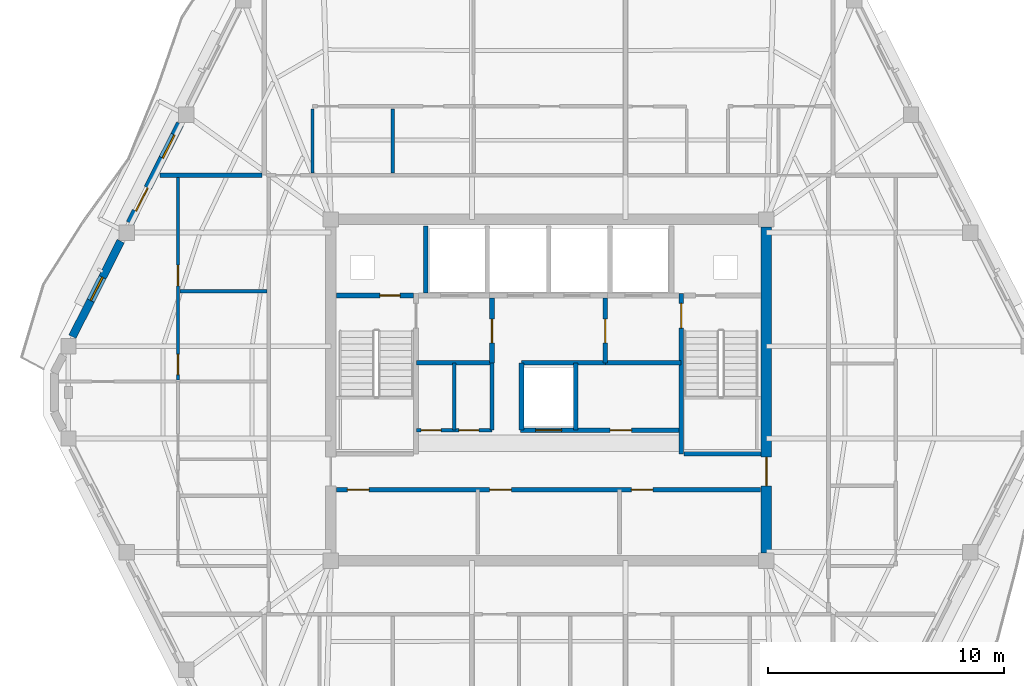
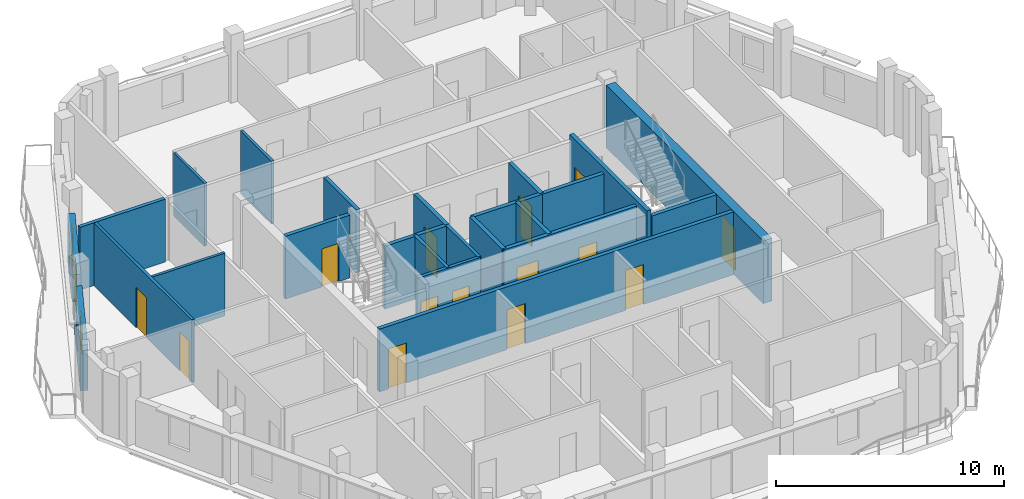
# One storey, part 5 of 11: 24 walls, 15 doors, 2 windows, 17 openings.
"""IFC4 building model written with IfcOpenShell, lengths in metres."""

from ifc_helpers import new_model, si_unit, direction, frame, frame_2d, origin, place, context, subcontext, project, spatial, rectangle, extrude, material, layer, layer_set, type_object, element, fill, save


model = new_model("IFC4")

# Units and contexts
model_context = context("Model", 3, precision=1e-05, world=origin(), true_north=direction((0.0, 1.0)))
body_context = subcontext(model_context, "Body", "Model", "MODEL_VIEW")
ifc_project = project(units=[si_unit("LENGTHUNIT", "METRE"), si_unit("AREAUNIT", "SQUARE_METRE"), si_unit("VOLUMEUNIT", "CUBIC_METRE"), si_unit("PLANEANGLEUNIT", "RADIAN"), si_unit("MASSUNIT", "GRAM", prefix="KILO")], contexts=[model_context])

# Site, building, storey
site_placement = place(None, origin())
site = spatial("IfcSite", under=ifc_project, at=site_placement, CompositionType="ELEMENT")
building_placement = place(site_placement, origin())
building = spatial("IfcBuilding", under=site, at=building_placement, Name="Cinnabar Lancet Tower", CompositionType="ELEMENT")
storey_placement = place(building_placement, frame((0.0, 0.0, 274.449951171875)))
storey = spatial("IfcBuildingStorey", under=building, at=storey_placement, Name="L73", CompositionType="ELEMENT", Elevation=274.449951171875)

# Wall, openings, doors
ifc_material_1 = material(Name="Acoustic twin-stud gypsum partition", Category="gypsum")
ifc_layer_1 = layer(ifc_material_1, 0.159912109375)
ifc_layer_set_1 = layer_set([ifc_layer_1], Name="Acoustic twin-stud gypsum partition")
wall_type_1 = type_object("IfcWallType", Name="ARC-WL-CORR-160", PredefinedType="PARTITIONING", material=ifc_layer_set_1)
wall_1_placement = place(storey_placement, frame((26.800048828125, 24.199951171875, 0.0), z_axis=(0.0, 0.0, 1.0), x_axis=(1.0, 0.0, 0.0)))
wall_1 = element("IfcWall", 1, at=wall_1_placement, inside=storey, type_object=wall_type_1, Name="CW-REC5S-L73", PredefinedType="PARTITIONING", context=body_context, shape_type="SweptSolid", body=[
    extrude(rectangle(XDim=3.199951171875, YDim=0.159912109375, at=frame_2d((1.60009765625, 0.0))), origin(), (0.0, 0.0, 1.0), 3.3701171875),
])
opening_1_placement = place(wall_1_placement, frame((0.199951171875, 0.0, 0.0)))
opening_1 = element("IfcOpeningElement", 2, at=opening_1_placement, cuts=wall_1, Name="Opening PD-02", PredefinedType="OPENING", context=body_context, shape_type="SweptSolid", body=[
    extrude(rectangle(XDim=0.85009765625, YDim=2.050048828125, at=frame_2d((0.425048828125, 1.02490234375))), frame((0.0, 0.08984375, 0.0), z_axis=(0.0, -1.0, 0.0), x_axis=(1.0, 0.0, 0.0)), (0.0, 0.0, 1.0), 0.179931640625),
])
opening_2_placement = place(wall_1_placement, frame((1.800048828125, 0.0, 0.0)))
opening_2 = element("IfcOpeningElement", 3, at=opening_2_placement, cuts=wall_1, Name="Opening PD-02", PredefinedType="OPENING", context=body_context, shape_type="SweptSolid", body=[
    extrude(rectangle(XDim=0.85009765625, YDim=2.050048828125, at=frame_2d((0.425048828125, 1.02490234375))), frame((0.0, 0.08984375, 0.0), z_axis=(0.0, -1.0, 0.0), x_axis=(1.0, 0.0, 0.0)), (0.0, 0.0, 1.0), 0.179931640625),
])
ifc_material_2 = material(Name="Fire-rated steel riser access door", Category="steel")
door_type_1 = type_object("IfcDoorType", Name="ARC-DR-RISER", OperationType="NOTDEFINED", PredefinedType="DOOR", material=ifc_material_2)
door_1_placement = place(opening_1_placement, origin())
door_1 = element("IfcDoor", 4, at=door_1_placement, inside=storey, type_object=door_type_1, Name="DR-L73-REC5A", OperationType="SINGLE_SWING_LEFT", OverallHeight=2.050048828125, OverallWidth=0.85009765625, PredefinedType="DOOR", context=body_context, shape_type="SweptSolid", body=[
    extrude(rectangle(XDim=0.85009765625, YDim=2.050048828125, at=frame_2d((0.425048828125, 1.02490234375))), frame((0.0, 0.02490234375, 0.0), z_axis=(0.0, -1.0, 0.0), x_axis=(1.0, 0.0, 0.0)), (0.0, 0.0, 1.0), 0.050048828125),
])
fill(opening_1, door_1)
door_2_placement = place(opening_2_placement, origin())
door_2 = element("IfcDoor", 5, at=door_2_placement, inside=storey, type_object=door_type_1, Name="DR-L73-REC5B", OperationType="SINGLE_SWING_RIGHT", OverallHeight=2.050048828125, OverallWidth=0.85009765625, PredefinedType="DOOR", context=body_context, shape_type="SweptSolid", body=[
    extrude(rectangle(XDim=0.85009765625, YDim=2.050048828125, at=frame_2d((0.425048828125, 1.02490234375))), frame((0.0, 0.02490234375, 0.0), z_axis=(0.0, -1.0, 0.0), x_axis=(1.0, 0.0, 0.0)), (0.0, 0.0, 1.0), 0.050048828125),
])
fill(opening_2, door_2)

# Walls
for number, where, z_axis, x_axis, name in (
    (6, (30.0, 24.199951171875, 0.0), (0.0, 0.0, 1.0), (0.0, 1.0, 0.0), "CW-REC5E-L73"),
    (7, (28.39990234375, 24.199951171875, 0.0), (0.0, 0.0, 1.0), (0.0, 1.0, 0.0), "CW-REC5D-L73"),
):
    element("IfcWall", number, at=place(storey_placement, frame(where, z_axis=z_axis, x_axis=x_axis)), inside=storey, type_object=wall_type_1, Name=name, PredefinedType="PARTITIONING", context=body_context, shape_type="SweptSolid", body=[
        extrude(rectangle(XDim=2.85009765625, YDim=0.159912109375, at=frame_2d((1.425048828125, 0.0))), origin(), (0.0, 0.0, 1.0), 3.3701171875),
    ])
ifc_material_3 = material(Name="Fire-rated twin-frame acoustic drywall", Category="gypsum")
ifc_layer_2 = layer(ifc_material_3, 0.179931640625)
ifc_layer_set_2 = layer_set([ifc_layer_2], Name="Fire-rated twin-frame acoustic drywall")
wall_type_2 = type_object("IfcWallType", Name="ARC-WL-PARTY-180", PredefinedType="PARTITIONING", material=ifc_layer_set_2)
wall_2_placement = place(storey_placement, frame((15.93310546875, 35.0, 0.0), z_axis=(0.0, 0.0, 1.0), x_axis=(1.0, 0.0, 0.0)))
element("IfcWall", 8, at=wall_2_placement, inside=storey, type_object=wall_type_2, Name="PW-L73-WNB", PredefinedType="PARTITIONING", context=body_context, shape_type="SweptSolid", body=[
    extrude(rectangle(XDim=4.32177734375, YDim=0.179931640625, at=frame_2d((2.160888671875, 0.0))), origin(), (0.0, 0.0, 1.0), 3.3701171875),
])
ifc_material_4 = material(Name="Autoclaved aerated concrete blockwork", Category="masonry")
ifc_layer_3 = layer(ifc_material_4, 0.199951171875)
ifc_layer_set_3 = layer_set([ifc_layer_3], Name="Autoclaved aerated concrete blockwork")
wall_type_3 = type_object("IfcWallType", Name="ARC-WL-SHAFT-200", PredefinedType="PLUMBINGWALL", material=ifc_layer_set_3)
wall_3_placement = place(storey_placement, frame((38.125, 23.199951171875, 0.0), z_axis=(0.0, 0.0, 1.0), x_axis=(1.0, 0.0, 0.0)))
element("IfcWall", 9, at=wall_3_placement, inside=storey, type_object=wall_type_3, Name="CW-ST2S-L73", PredefinedType="PLUMBINGWALL", context=body_context, shape_type="SweptSolid", body=[
    extrude(rectangle(XDim=3.27001953125, YDim=0.199951171875, at=frame_2d((1.635009765625, 0.0))), origin(), (0.0, 0.0, 1.0), 3.3701171875),
])

# Wall, opening, door
wall_4_placement = place(storey_placement, frame((23.405029296875, 29.89990234375, 0.0), z_axis=(0.0, 0.0, 1.0), x_axis=(1.0, 0.0, 0.0)))
wall_4 = element("IfcWall", 10, at=wall_4_placement, inside=storey, type_object=wall_type_3, Name="CW-NSH-W-L73", PredefinedType="PLUMBINGWALL", context=body_context, shape_type="SweptSolid", body=[
    extrude(rectangle(XDim=3.27001953125, YDim=0.199951171875, at=frame_2d((1.635009765625, 0.0))), origin(), (0.0, 0.0, 1.0), 3.3701171875),
])
opening_3_placement = place(wall_4_placement, frame((1.85009765625, 0.0, 0.0)))
opening_3 = element("IfcOpeningElement", 11, at=opening_3_placement, cuts=wall_4, Name="Opening PD-02", PredefinedType="OPENING", context=body_context, shape_type="SweptSolid", body=[
    extrude(rectangle(XDim=0.85009765625, YDim=2.050048828125, at=frame_2d((0.425048828125, 1.02490234375))), frame((0.0, 0.10986328125, 0.0), z_axis=(0.0, -1.0, 0.0), x_axis=(1.0, 0.0, 0.0)), (0.0, 0.0, 1.0), 0.219970703125),
])
door_3_placement = place(opening_3_placement, origin())
door_3 = element("IfcDoor", 12, at=door_3_placement, inside=storey, type_object=door_type_1, Name="L73 West Riser Access Door", OperationType="SINGLE_SWING_LEFT", OverallHeight=2.050048828125, OverallWidth=0.85009765625, PredefinedType="DOOR", context=body_context, shape_type="SweptSolid", body=[
    extrude(rectangle(XDim=0.85009765625, YDim=2.050048828125, at=frame_2d((0.425048828125, 1.02490234375))), frame((0.0, 0.02490234375, 0.0), z_axis=(0.0, -1.0, 0.0), x_axis=(1.0, 0.0, 0.0)), (0.0, 0.0, 1.0), 0.050048828125),
])
fill(opening_3, door_3)

# Wall
wall_5_placement = place(storey_placement, frame((27.199951171875, 30.0, 0.0), z_axis=(0.0, 0.0, 1.0), x_axis=(0.0, 1.0, 0.0)))
element("IfcWall", 13, at=wall_5_placement, inside=storey, type_object=wall_type_3, Name="CW-NSH-D1-L73", PredefinedType="PLUMBINGWALL", context=body_context, shape_type="SweptSolid", body=[
    extrude(rectangle(XDim=2.85009765625, YDim=0.199951171875, at=frame_2d((1.425048828125, 0.0))), origin(), (0.0, 0.0, 1.0), 3.3701171875),
])

# Wall, opening, door
wall_6_placement = place(storey_placement, frame((30.0, 27.050048828125, 0.0), z_axis=(0.0, 0.0, 1.0), x_axis=(0.0, 1.0, 0.0)))
wall_6 = element("IfcWall", 14, at=wall_6_placement, inside=storey, type_object=wall_type_3, Name="CW-FF1E-L73", PredefinedType="PLUMBINGWALL", context=body_context, shape_type="SweptSolid", body=[
    extrude(rectangle(XDim=2.75, YDim=0.199951171875, at=frame_2d((1.375, 0.0))), origin(), (0.0, 0.0, 1.0), 3.3701171875),
])
opening_4_placement = place(wall_6_placement, frame((0.85009765625, 0.0, 0.0)))
opening_4 = element("IfcOpeningElement", 15, at=opening_4_placement, cuts=wall_6, Name="Opening FD-01", PredefinedType="OPENING", context=body_context, shape_type="SweptSolid", body=[
    extrude(rectangle(XDim=1.0, YDim=2.14990234375, at=frame_2d((0.5, 1.074951171875))), frame((0.0, 0.10986328125, 0.0), z_axis=(0.0, -1.0, 0.0), x_axis=(1.0, 0.0, 0.0)), (0.0, 0.0, 1.0), 0.219970703125),
])
ifc_material_5 = material(Name="Fire-rated timber-core lobby door", Category="wood")
door_type_2 = type_object("IfcDoorType", Name="ARC-DR-FFAL", OperationType="NOTDEFINED", PredefinedType="DOOR", material=ifc_material_5)
door_4_placement = place(opening_4_placement, origin())
door_4 = element("IfcDoor", 16, at=door_4_placement, inside=storey, type_object=door_type_2, Name="L73 FFAL-1 Lobby Fire Door", OperationType="SINGLE_SWING_RIGHT", OverallHeight=2.14990234375, OverallWidth=1.0, PredefinedType="DOOR", context=body_context, shape_type="SweptSolid", body=[
    extrude(rectangle(XDim=1.0, YDim=2.14990234375, at=frame_2d((0.5, 1.074951171875))), frame((0.0, 0.02490234375, 0.0), z_axis=(0.0, -1.0, 0.0), x_axis=(1.0, 0.0, 0.0)), (0.0, 0.0, 1.0), 0.050048828125),
])
fill(opening_4, door_4)

# Wall
wall_7_placement = place(storey_placement, frame((26.800048828125, 27.050048828125, 0.0), z_axis=(0.0, 0.0, 1.0), x_axis=(1.0, 0.0, 0.0)))
element("IfcWall", 17, at=wall_7_placement, inside=storey, type_object=wall_type_3, Name="CW-FF1S-L73", PredefinedType="PLUMBINGWALL", context=body_context, shape_type="SweptSolid", body=[
    extrude(rectangle(XDim=3.199951171875, YDim=0.199951171875, at=frame_2d((1.60009765625, 0.0))), origin(), (0.0, 0.0, 1.0), 3.3701171875),
])

# Wall, opening, door
wall_8_placement = place(storey_placement, frame((34.800048828125, 27.050048828125, 0.0), z_axis=(0.0, 0.0, 1.0), x_axis=(0.0, 1.0, 0.0)))
wall_8 = element("IfcWall", 18, at=wall_8_placement, inside=storey, type_object=wall_type_3, Name="CW-FF2W-L73", PredefinedType="PLUMBINGWALL", context=body_context, shape_type="SweptSolid", body=[
    extrude(rectangle(XDim=2.75, YDim=0.199951171875, at=frame_2d((1.375, 0.0))), origin(), (0.0, 0.0, 1.0), 3.3701171875),
])
opening_5_placement = place(wall_8_placement, frame((0.85009765625, 0.0, 0.0)))
opening_5 = element("IfcOpeningElement", 19, at=opening_5_placement, cuts=wall_8, Name="Opening FD-01", PredefinedType="OPENING", context=body_context, shape_type="SweptSolid", body=[
    extrude(rectangle(XDim=1.0, YDim=2.14990234375, at=frame_2d((0.5, 1.074951171875))), frame((0.0, 0.10986328125, 0.0), z_axis=(0.0, -1.0, 0.0), x_axis=(1.0, 0.0, 0.0)), (0.0, 0.0, 1.0), 0.219970703125),
])
door_5_placement = place(opening_5_placement, origin())
door_5 = element("IfcDoor", 20, at=door_5_placement, inside=storey, type_object=door_type_2, Name="L73 FFAL-2 Lobby Fire Door", OperationType="SINGLE_SWING_LEFT", OverallHeight=2.14990234375, OverallWidth=1.0, PredefinedType="DOOR", context=body_context, shape_type="SweptSolid", body=[
    extrude(rectangle(XDim=1.0, YDim=2.14990234375, at=frame_2d((0.5, 1.074951171875))), frame((0.0, 0.02490234375, 0.0), z_axis=(0.0, -1.0, 0.0), x_axis=(1.0, 0.0, 0.0)), (0.0, 0.0, 1.0), 0.050048828125),
])
fill(opening_5, door_5)

# Wall
wall_9_placement = place(storey_placement, frame((34.800048828125, 27.050048828125, 0.0), z_axis=(0.0, 0.0, 1.0), x_axis=(1.0, 0.0, 0.0)))
element("IfcWall", 21, at=wall_9_placement, inside=storey, type_object=wall_type_3, Name="CW-FF2S-L73", PredefinedType="PLUMBINGWALL", context=body_context, shape_type="SweptSolid", body=[
    extrude(rectangle(XDim=3.199951171875, YDim=0.199951171875, at=frame_2d((1.60009765625, 0.0))), origin(), (0.0, 0.0, 1.0), 3.3701171875),
])

# Wall, openings, doors
wall_10_placement = place(storey_placement, frame((31.199951171875, 24.199951171875, 0.0), z_axis=(0.0, 0.0, 1.0), x_axis=(1.0, 0.0, 0.0)))
wall_10 = element("IfcWall", 22, at=wall_10_placement, inside=storey, type_object=wall_type_3, Name="CW-PL96S-L73", PredefinedType="PLUMBINGWALL", context=body_context, shape_type="SweptSolid", body=[
    extrude(rectangle(XDim=6.800048828125, YDim=0.199951171875, at=frame_2d((3.39990234375, 0.0))), origin(), (0.0, 0.0, 1.0), 3.3701171875),
])
opening_6_placement = place(wall_10_placement, frame((0.64990234375, 0.0, 0.0)))
opening_6 = element("IfcOpeningElement", 23, at=opening_6_placement, cuts=wall_10, Name="Opening LD-01", PredefinedType="OPENING", context=body_context, shape_type="SweptSolid", body=[
    extrude(rectangle(XDim=1.10009765625, YDim=2.199951171875, at=frame_2d((0.550048828125, 1.10009765625))), frame((0.0, 0.10986328125, 0.0), z_axis=(0.0, -1.0, 0.0), x_axis=(1.0, 0.0, 0.0)), (0.0, 0.0, 1.0), 0.219970703125),
])
opening_7_placement = place(wall_10_placement, frame((3.800048828125, 0.0, 0.0)))
opening_7 = element("IfcOpeningElement", 24, at=opening_7_placement, cuts=wall_10, Name="Opening RD-01", PredefinedType="OPENING", context=body_context, shape_type="SweptSolid", body=[
    extrude(rectangle(XDim=0.919921875, YDim=2.14990234375, at=frame_2d((0.4599609375, 1.074951171875))), frame((0.0, 0.10986328125, 0.0), z_axis=(0.0, -1.0, 0.0), x_axis=(1.0, 0.0, 0.0)), (0.0, 0.0, 1.0), 0.219970703125),
])
ifc_material_6 = material(Name="Brushed stainless steel sliding lift door", Category="steel")
door_type_3 = type_object("IfcDoorType", Name="ARC-DR-LD-PASS", OperationType="NOTDEFINED", PredefinedType="DOOR", material=ifc_material_6)
door_6_placement = place(opening_6_placement, origin())
door_6 = element("IfcDoor", 25, at=door_6_placement, inside=storey, type_object=door_type_3, Name="L73 Lift PL-9 Landing Door", OperationType="DOUBLE_DOOR_SLIDING", OverallHeight=2.199951171875, OverallWidth=1.10009765625, PredefinedType="DOOR", context=body_context, shape_type="SweptSolid", body=[
    extrude(rectangle(XDim=1.10009765625, YDim=2.199951171875, at=frame_2d((0.550048828125, 1.10009765625))), frame((0.0, 0.02490234375, 0.0), z_axis=(0.0, -1.0, 0.0), x_axis=(1.0, 0.0, 0.0)), (0.0, 0.0, 1.0), 0.050048828125),
])
fill(opening_6, door_6)
ifc_material_7 = material(Name="Engineered timber bedroom door", Category="wood")
door_type_4 = type_object("IfcDoorType", Name="ARC-DR-ROOM", OperationType="NOTDEFINED", PredefinedType="DOOR", material=ifc_material_7)
door_7_placement = place(opening_7_placement, origin())
door_7 = element("IfcDoor", 26, at=door_7_placement, inside=storey, type_object=door_type_4, Name="DR-L73-REC6", OperationType="SINGLE_SWING_RIGHT", OverallHeight=2.14990234375, OverallWidth=0.919921875, PredefinedType="DOOR", context=body_context, shape_type="SweptSolid", body=[
    extrude(rectangle(XDim=0.919921875, YDim=2.14990234375, at=frame_2d((0.4599609375, 1.074951171875))), frame((0.0, 0.02490234375, 0.0), z_axis=(0.0, -1.0, 0.0), x_axis=(1.0, 0.0, 0.0)), (0.0, 0.0, 1.0), 0.050048828125),
])
fill(opening_7, door_7)

# Walls
for number, where, z_axis, x_axis, name in (
    (27, (31.25, 24.199951171875, 0.0), (0.0, 0.0, 1.0), (0.0, 1.0, 0.0), "CW-PL9W-L73"),
    (28, (33.550048828125, 24.199951171875, 0.0), (0.0, 0.0, 1.0), (0.0, 1.0, 0.0), "CW-PL9E-L73"),
):
    element("IfcWall", number, at=place(storey_placement, frame(where, z_axis=z_axis, x_axis=x_axis)), inside=storey, type_object=wall_type_3, Name=name, PredefinedType="PLUMBINGWALL", context=body_context, shape_type="SweptSolid", body=[
        extrude(rectangle(XDim=2.85009765625, YDim=0.199951171875, at=frame_2d((1.425048828125, 0.0))), origin(), (0.0, 0.0, 1.0), 3.3701171875),
    ])
wall_11_placement = place(storey_placement, frame((31.25, 27.050048828125, 0.0), z_axis=(0.0, 0.0, 1.0), x_axis=(1.0, 0.0, 0.0)))
element("IfcWall", 29, at=wall_11_placement, inside=storey, type_object=wall_type_3, Name="CW-PL96N-L73", PredefinedType="PLUMBINGWALL", context=body_context, shape_type="SweptSolid", body=[
    extrude(rectangle(XDim=3.550048828125, YDim=0.199951171875, at=frame_2d((1.77490234375, 0.0))), origin(), (0.0, 0.0, 1.0), 3.3701171875),
])

# Wall, openings, doors
wall_12_placement = place(storey_placement, frame((23.419921875, 21.679931640625, 0.0), z_axis=(0.0, 0.0, 1.0), x_axis=(1.0, 0.0, 0.0)))
wall_12 = element("IfcWall", 30, at=wall_12_placement, inside=storey, type_object=wall_type_3, Name="CW-SBANDN-L73", PredefinedType="PLUMBINGWALL", context=body_context, shape_type="SweptSolid", body=[
    extrude(rectangle(XDim=17.9599609375, YDim=0.199951171875, at=frame_2d((8.97998046875, 0.0))), origin(), (0.0, 0.0, 1.0), 3.3701171875),
])
opening_8_placement = place(wall_12_placement, frame((0.4599609375, 0.0, 0.0)))
opening_8 = element("IfcOpeningElement", 31, at=opening_8_placement, cuts=wall_12, Name="Opening RD-01", PredefinedType="OPENING", context=body_context, shape_type="SweptSolid", body=[
    extrude(rectangle(XDim=0.919921875, YDim=2.14990234375, at=frame_2d((0.4599609375, 1.074951171875))), frame((0.0, 0.10986328125, 0.0), z_axis=(0.0, -1.0, 0.0), x_axis=(1.0, 0.0, 0.0)), (0.0, 0.0, 1.0), 0.219970703125),
])
opening_9_placement = place(wall_12_placement, frame((6.47998046875, 0.0, 0.0)))
opening_9 = element("IfcOpeningElement", 32, at=opening_9_placement, cuts=wall_12, Name="Opening RD-01", PredefinedType="OPENING", context=body_context, shape_type="SweptSolid", body=[
    extrude(rectangle(XDim=0.919921875, YDim=2.14990234375, at=frame_2d((0.4599609375, 1.074951171875))), frame((0.0, 0.10986328125, 0.0), z_axis=(0.0, -1.0, 0.0), x_axis=(1.0, 0.0, 0.0)), (0.0, 0.0, 1.0), 0.219970703125),
])
opening_10_placement = place(wall_12_placement, frame((12.47998046875, 0.0, 0.0)))
opening_10 = element("IfcOpeningElement", 33, at=opening_10_placement, cuts=wall_12, Name="Opening RD-01", PredefinedType="OPENING", context=body_context, shape_type="SweptSolid", body=[
    extrude(rectangle(XDim=0.919921875, YDim=2.14990234375, at=frame_2d((0.4599609375, 1.074951171875))), frame((0.0, 0.10986328125, 0.0), z_axis=(0.0, -1.0, 0.0), x_axis=(1.0, 0.0, 0.0)), (0.0, 0.0, 1.0), 0.219970703125),
])
door_8_placement = place(opening_8_placement, origin())
door_8 = element("IfcDoor", 34, at=door_8_placement, inside=storey, type_object=door_type_4, Name="DR-L73-HREC1", OperationType="SINGLE_SWING_LEFT", OverallHeight=2.14990234375, OverallWidth=0.919921875, PredefinedType="DOOR", context=body_context, shape_type="SweptSolid", body=[
    extrude(rectangle(XDim=0.919921875, YDim=2.14990234375, at=frame_2d((0.4599609375, 1.074951171875))), frame((0.0, 0.02490234375, 0.0), z_axis=(0.0, -1.0, 0.0), x_axis=(1.0, 0.0, 0.0)), (0.0, 0.0, 1.0), 0.050048828125),
])
fill(opening_8, door_8)
door_9_placement = place(opening_9_placement, origin())
door_9 = element("IfcDoor", 35, at=door_9_placement, inside=storey, type_object=door_type_4, Name="DR-L73-HREC2", OperationType="SINGLE_SWING_RIGHT", OverallHeight=2.14990234375, OverallWidth=0.919921875, PredefinedType="DOOR", context=body_context, shape_type="SweptSolid", body=[
    extrude(rectangle(XDim=0.919921875, YDim=2.14990234375, at=frame_2d((0.4599609375, 1.074951171875))), frame((0.0, 0.02490234375, 0.0), z_axis=(0.0, -1.0, 0.0), x_axis=(1.0, 0.0, 0.0)), (0.0, 0.0, 1.0), 0.050048828125),
])
fill(opening_9, door_9)
door_10_placement = place(opening_10_placement, origin())
door_10 = element("IfcDoor", 36, at=door_10_placement, inside=storey, type_object=door_type_4, Name="DR-L73-HREC3", OperationType="SINGLE_SWING_LEFT", OverallHeight=2.14990234375, OverallWidth=0.919921875, PredefinedType="DOOR", context=body_context, shape_type="SweptSolid", body=[
    extrude(rectangle(XDim=0.919921875, YDim=2.14990234375, at=frame_2d((0.4599609375, 1.074951171875))), frame((0.0, 0.02490234375, 0.0), z_axis=(0.0, -1.0, 0.0), x_axis=(1.0, 0.0, 0.0)), (0.0, 0.0, 1.0), 0.050048828125),
])
fill(opening_10, door_10)

# Walls
ifc_material_8 = material(Name="Gypsum plasterboard stud partition", Category="gypsum")
ifc_layer_4 = layer(ifc_material_8, 0.125)
ifc_layer_set_4 = layer_set([ifc_layer_4], Name="Gypsum plasterboard stud partition")
wall_type_4 = type_object("IfcWallType", Name="ARC-WL-UNIT-125", PredefinedType="PARTITIONING", material=ifc_layer_set_4)
wall_13_placement = place(storey_placement, frame((22.39990234375, 35.0849609375, 0.0), z_axis=(0.0, 0.0, 1.0), x_axis=(0.0, 1.0, 0.0)))
element("IfcWall", 37, at=wall_13_placement, inside=storey, type_object=wall_type_4, Name="UW-L73-N01-FOYE", PredefinedType="PARTITIONING", context=body_context, shape_type="SweptSolid", body=[
    extrude(rectangle(XDim=2.72509765625, YDim=0.125, at=frame_2d((1.362548828125, 0.0))), origin(), (0.0, 0.0, 1.0), 3.3701171875),
])
ifc_material_9 = material(Name="Moisture-resistant cement-board plumbing wall", Category="masonry")
ifc_layer_5 = layer(ifc_material_9, 0.139892578125)
ifc_layer_set_5 = layer_set([ifc_layer_5], Name="Moisture-resistant cement-board plumbing wall")
wall_type_5 = type_object("IfcWallType", Name="ARC-WL-WET-140", PredefinedType="PLUMBINGWALL", material=ifc_layer_set_5)
wall_14_placement = place(storey_placement, frame((25.800048828125, 35.0849609375, 0.0), z_axis=(0.0, 0.0, 1.0), x_axis=(0.0, 1.0, 0.0)))
element("IfcWall", 38, at=wall_14_placement, inside=storey, type_object=wall_type_5, Name="UW-L73-N01-KBD", PredefinedType="PLUMBINGWALL", context=body_context, shape_type="SweptSolid", body=[
    extrude(rectangle(XDim=2.72509765625, YDim=0.139892578125, at=frame_2d((1.362548828125, 0.0))), origin(), (0.0, 0.0, 1.0), 3.3701171875),
])

# Wall, openings, doors
wall_15_placement = place(storey_placement, frame((16.699951171875, 26.327880859375, 0.0), z_axis=(0.0, 0.0, 1.0), x_axis=(0.0, 1.0, 0.0)))
wall_15 = element("IfcWall", 39, at=wall_15_placement, inside=storey, type_object=wall_type_5, Name="UW-L73-W01-SPM", PredefinedType="PLUMBINGWALL", context=body_context, shape_type="SweptSolid", body=[
    extrude(rectangle(XDim=8.5771484375, YDim=0.139892578125, at=frame_2d((4.28857421875, 0.0))), origin(), (0.0, 0.0, 1.0), 3.3701171875),
])
opening_11_placement = place(wall_15_placement, frame((0.219970703125, 0.0, 0.0)))
opening_11 = element("IfcOpeningElement", 40, at=opening_11_placement, cuts=wall_15, Name="Opening BD-01", PredefinedType="OPENING", context=body_context, shape_type="SweptSolid", body=[
    extrude(rectangle(XDim=0.860107421875, YDim=2.10009765625, at=frame_2d((0.43017578125, 1.050048828125))), frame((0.0, 0.079833984375, 0.0), z_axis=(0.0, -1.0, 0.0), x_axis=(1.0, 0.0, 0.0)), (0.0, 0.0, 1.0), 0.159912109375),
])
opening_12_placement = place(wall_15_placement, frame((3.97998046875, 0.0, 0.0)))
opening_12 = element("IfcOpeningElement", 41, at=opening_12_placement, cuts=wall_15, Name="Opening RD-02", PredefinedType="OPENING", context=body_context, shape_type="SweptSolid", body=[
    extrude(rectangle(XDim=0.8798828125, YDim=2.14990234375, at=frame_2d((0.43994140625, 1.074951171875))), frame((0.0, 0.079833984375, 0.0), z_axis=(0.0, -1.0, 0.0), x_axis=(1.0, 0.0, 0.0)), (0.0, 0.0, 1.0), 0.159912109375),
])
ifc_material_10 = material(Name="Moisture-resistant timber bathroom door", Category="wood")
door_type_5 = type_object("IfcDoorType", Name="ARC-DR-BATH", OperationType="NOTDEFINED", PredefinedType="DOOR", material=ifc_material_10)
door_11_placement = place(opening_11_placement, origin())
door_11 = element("IfcDoor", 42, at=door_11_placement, inside=storey, type_object=door_type_5, Name="DR-L73-W01-ENS", OperationType="SINGLE_SWING_RIGHT", OverallHeight=2.10009765625, OverallWidth=0.860107421875, PredefinedType="DOOR", context=body_context, shape_type="SweptSolid", body=[
    extrude(rectangle(XDim=0.860107421875, YDim=2.10009765625, at=frame_2d((0.43017578125, 1.050048828125))), frame((0.0, 0.02490234375, 0.0), z_axis=(0.0, -1.0, 0.0), x_axis=(1.0, 0.0, 0.0)), (0.0, 0.0, 1.0), 0.050048828125),
])
fill(opening_11, door_11)
ifc_material_11 = material(Name="Engineered timber study door", Category="wood")
door_type_6 = type_object("IfcDoorType", Name="ARC-DR-STUDY", OperationType="NOTDEFINED", PredefinedType="DOOR", material=ifc_material_11)
door_12_placement = place(opening_12_placement, origin())
door_12 = element("IfcDoor", 43, at=door_12_placement, inside=storey, type_object=door_type_6, Name="DR-L73-W01-EWDR", OperationType="SINGLE_SWING_LEFT", OverallHeight=2.14990234375, OverallWidth=0.8798828125, PredefinedType="DOOR", context=body_context, shape_type="SweptSolid", body=[
    extrude(rectangle(XDim=0.8798828125, YDim=2.14990234375, at=frame_2d((0.43994140625, 1.074951171875))), frame((0.0, 0.02490234375, 0.0), z_axis=(0.0, -1.0, 0.0), x_axis=(1.0, 0.0, 0.0)), (0.0, 0.0, 1.0), 0.050048828125),
])
fill(opening_12, door_12)

# Wall
wall_16_placement = place(storey_placement, frame((16.784912109375, 30.087890625, 0.0), z_axis=(0.0, 0.0, 1.0), x_axis=(1.0, 0.0, 0.0)))
element("IfcWall", 44, at=wall_16_placement, inside=storey, type_object=wall_type_5, Name="UW-L73-W01-EWDV", PredefinedType="PLUMBINGWALL", context=body_context, shape_type="SweptSolid", body=[
    extrude(rectangle(XDim=3.68017578125, YDim=0.139892578125, at=frame_2d((1.840087890625, 0.0))), origin(), (0.0, 0.0, 1.0), 3.3701171875),
])

# Wall, openings, door, window
ifc_material_12 = material(Name="Cinnabar red clay brick", Category="masonry")
ifc_layer_6 = layer(ifc_material_12, 0.340087890625)
ifc_layer_set_6 = layer_set([ifc_layer_6], Name="Cinnabar red clay brick")
wall_type_6 = type_object("IfcWallType", Name="ENV-WL-BRK-RED-340", PredefinedType="STANDARD", material=ifc_layer_set_6)
wall_17_placement = place(storey_placement, frame((16.798095703125, 37.18701171875, 0.0), z_axis=(0.0, 0.0, 1.0), x_axis=(-0.451447516904, -0.892297674255, 0.0)))
wall_17 = element("IfcWall", 45, at=wall_17_placement, inside=storey, type_object=wall_type_6, Name="L73 Face 5 Masonry Bay Wall 3", PredefinedType="STANDARD", context=body_context, shape_type="SweptSolid", body=[
    extrude(rectangle(XDim=4.72265625, YDim=0.340087890625, at=frame_2d((2.361328125, 0.0))), origin(), (0.0, 0.0, 1.0), 2.4599609375),
])
opening_13_placement = place(wall_17_placement, frame((3.052978515625, 0.0, 0.0)))
opening_13 = element("IfcOpeningElement", 46, at=opening_13_placement, cuts=wall_17, Name="Opening TD-01", PredefinedType="OPENING", context=body_context, shape_type="SweptSolid", body=[
    extrude(rectangle(XDim=1.10009765625, YDim=2.25, at=frame_2d((0.550048828125, 1.125))), frame((0.0, 0.179931640625, 0.0), z_axis=(0.0, -1.0, 0.0), x_axis=(1.0, 0.0, 0.0)), (0.0, 0.0, 1.0), 0.360107421875),
])
opening_14_placement = place(wall_17_placement, frame((0.5458984375, 0.0, 0.75)))
opening_14 = element("IfcOpeningElement", 47, at=opening_14_placement, cuts=wall_17, Name="Opening WN-04", PredefinedType="OPENING", context=body_context, shape_type="SweptSolid", body=[
    extrude(rectangle(XDim=1.10009765625, YDim=1.56005859375, at=frame_2d((0.550048828125, 0.780029296875))), frame((0.0, 0.179931640625, 0.0), z_axis=(0.0, -1.0, 0.0), x_axis=(1.0, 0.0, 0.0)), (0.0, 0.0, 1.0), 0.360107421875),
])
ifc_material_13 = material(Name="Thermally broken low-E glazed balcony terrace door", Category="wood")
door_type_7 = type_object("IfcDoorType", Name="ARC-DR-BALC", OperationType="NOTDEFINED", PredefinedType="DOOR", material=ifc_material_13)
door_13_placement = place(opening_13_placement, origin())
door_13 = element("IfcDoor", 48, at=door_13_placement, inside=storey, type_object=door_type_7, Name="L73 Face 5 Glazed Terrace Door", OperationType="SINGLE_SWING_LEFT", OverallHeight=2.25, OverallWidth=1.10009765625, PredefinedType="DOOR", context=body_context, shape_type="SweptSolid", body=[
    extrude(rectangle(XDim=1.10009765625, YDim=2.25, at=frame_2d((0.550048828125, 1.125))), frame((0.0, 0.02490234375, 0.0), z_axis=(0.0, -1.0, 0.0), x_axis=(1.0, 0.0, 0.0)), (0.0, 0.0, 1.0), 0.050048828125),
])
fill(opening_13, door_13)
ifc_material_14 = material(Name="Thermally broken bronze-anodized aluminium tall lancet window", Category="aluminium")
window_type = type_object("IfcWindowType", Name="ENV-WN-LANCET-1100", PartitioningType="SINGLE_PANEL", PredefinedType="WINDOW", material=ifc_material_14)
window_1_placement = place(opening_14_placement, origin())
window_1 = element("IfcWindow", 49, at=window_1_placement, inside=storey, type_object=window_type, Name="L73 Split-Bay Gothic Lancet Window 274", OverallHeight=1.56005859375, OverallWidth=1.10009765625, PartitioningType="SINGLE_PANEL", PredefinedType="WINDOW", context=body_context, shape_type="SweptSolid", body=[
    extrude(rectangle(XDim=1.10009765625, YDim=1.56005859375, at=frame_2d((0.550048828125, 0.780029296875))), frame((0.0, 0.030029296875, 0.0), z_axis=(0.0, -1.0, 0.0), x_axis=(1.0, 0.0, 0.0)), (0.0, 0.0, 1.0), 0.06005859375),
])
fill(opening_14, window_1)

# Wall, opening, window
wall_18_placement = place(storey_placement, frame((14.277099609375, 32.202880859375, 0.0), z_axis=(0.0, 0.0, 1.0), x_axis=(-0.45147697324, -0.892282770558, 0.0)))
wall_18 = element("IfcWall", 50, at=wall_18_placement, inside=storey, type_object=wall_type_6, Name="L73 Face 5 Masonry Bay Wall 4", PredefinedType="STANDARD", context=body_context, shape_type="SweptSolid", body=[
    extrude(rectangle(XDim=4.530029296875, YDim=0.340087890625, at=frame_2d((2.26513671875, 0.0))), origin(), (0.0, 0.0, 1.0), 2.4599609375),
])
opening_15_placement = place(wall_18_placement, frame((1.715087890625, 0.0, 0.75)))
opening_15 = element("IfcOpeningElement", 51, at=opening_15_placement, cuts=wall_18, Name="Opening WN-04", PredefinedType="OPENING", context=body_context, shape_type="SweptSolid", body=[
    extrude(rectangle(XDim=1.10009765625, YDim=1.56005859375, at=frame_2d((0.550048828125, 0.780029296875))), frame((0.0, 0.179931640625, 0.0), z_axis=(0.0, -1.0, 0.0), x_axis=(1.0, 0.0, 0.0)), (0.0, 0.0, 1.0), 0.360107421875),
])
window_2_placement = place(opening_15_placement, origin())
window_2 = element("IfcWindow", 52, at=window_2_placement, inside=storey, type_object=window_type, Name="L73 Face 5 Gothic Lancet Window 4", OverallHeight=1.56005859375, OverallWidth=1.10009765625, PartitioningType="SINGLE_PANEL", PredefinedType="WINDOW", context=body_context, shape_type="SweptSolid", body=[
    extrude(rectangle(XDim=1.10009765625, YDim=1.56005859375, at=frame_2d((0.550048828125, 0.780029296875))), frame((0.0, 0.030029296875, 0.0), z_axis=(0.0, -1.0, 0.0), x_axis=(1.0, 0.0, 0.0)), (0.0, 0.0, 1.0), 0.06005859375),
])
fill(opening_15, window_2)

# Wall, opening, door
ifc_material_15 = material(Name="Concrete C50/60", Category="concrete")
ifc_layer_7 = layer(ifc_material_15, 0.449951171875)
ifc_layer_set_7 = layer_set([ifc_layer_7], Name="Concrete C50/60")
wall_type_7 = type_object("IfcWallType", Name="STR-WL-CORE-450", PredefinedType="SHEAR", material=ifc_layer_set_7)
wall_19_placement = place(storey_placement, frame((41.625, 19.0, 0.0), z_axis=(0.0, 0.0, 1.0), x_axis=(0.0, 1.0, 0.0)))
wall_19 = element("IfcWall", 53, at=wall_19_placement, inside=storey, type_object=wall_type_7, Name="L73 Core Shear Wall E", PredefinedType="SHEAR", context=body_context, shape_type="SweptSolid", body=[
    extrude(rectangle(XDim=13.800048828125, YDim=0.449951171875, at=frame_2d((6.89990234375, 0.0))), origin(), (0.0, 0.0, 1.0), 3.3701171875),
])
opening_16_placement = place(wall_19_placement, frame((2.840087890625, 0.0, 0.0)))
opening_16 = element("IfcOpeningElement", 54, at=opening_16_placement, cuts=wall_19, Name="Opening FD-02", PredefinedType="OPENING", context=body_context, shape_type="SweptSolid", body=[
    extrude(rectangle(XDim=1.219970703125, YDim=2.25, at=frame_2d((0.60986328125, 1.125))), frame((0.0, 0.23486328125, 0.0), z_axis=(0.0, -1.0, 0.0), x_axis=(1.0, 0.0, 0.0)), (0.0, 0.0, 1.0), 0.469970703125),
])
ifc_material_16 = material(Name="Fire-rated double-vision core portal door", Category="wood")
door_type_8 = type_object("IfcDoorType", Name="ARC-DR-CPORT", OperationType="NOTDEFINED", PredefinedType="DOOR", material=ifc_material_16)
door_14_placement = place(opening_16_placement, origin())
door_14 = element("IfcDoor", 55, at=door_14_placement, inside=storey, type_object=door_type_8, Name="L73 East Core Lobby Fire Door", OperationType="SINGLE_SWING_LEFT", OverallHeight=2.25, OverallWidth=1.219970703125, PredefinedType="DOOR", context=body_context, shape_type="SweptSolid", body=[
    extrude(rectangle(XDim=1.219970703125, YDim=2.25, at=frame_2d((0.60986328125, 1.125))), frame((0.0, 0.02490234375, 0.0), z_axis=(0.0, -1.0, 0.0), x_axis=(1.0, 0.0, 0.0)), (0.0, 0.0, 1.0), 0.050048828125),
])
fill(opening_16, door_14)

ifc_material_17 = material(Name="Concrete C50/60", Category="concrete")
ifc_layer_8 = layer(ifc_material_17, 0.199951171875)
ifc_layer_set_8 = layer_set([ifc_layer_8], Name="Concrete C50/60")
wall_type_8 = type_object("IfcWallType", Name="STR-WL-STAIR-200", PredefinedType="SHEAR", material=ifc_layer_set_8)
wall_20_placement = place(storey_placement, frame((38.02001953125, 23.199951171875, 0.0), z_axis=(0.0, 0.0, 1.0), x_axis=(0.0, 1.0, 0.0)))
wall_20 = element("IfcWall", 56, at=wall_20_placement, inside=storey, type_object=wall_type_8, Name="L73 Stair ST-2 Structural Enclosure Wall", PredefinedType="SHEAR", context=body_context, shape_type="SweptSolid", body=[
    extrude(rectangle(XDim=6.780029296875, YDim=0.199951171875, at=frame_2d((3.39013671875, 0.0))), origin(), (0.0, 0.0, 1.0), 3.650146484375),
])
opening_17_placement = place(wall_20_placement, frame((5.320068359375, 0.0, 0.0)))
opening_17 = element("IfcOpeningElement", 57, at=opening_17_placement, cuts=wall_20, Name="Opening SD-01", PredefinedType="OPENING", context=body_context, shape_type="SweptSolid", body=[
    extrude(rectangle(XDim=1.050048828125, YDim=2.14990234375, at=frame_2d((0.52490234375, 1.074951171875))), frame((0.0, 0.10986328125, 0.0), z_axis=(0.0, -1.0, 0.0), x_axis=(1.0, 0.0, 0.0)), (0.0, 0.0, 1.0), 0.219970703125),
])
ifc_material_18 = material(Name="Fire-rated steel stair exit door", Category="steel")
door_type_9 = type_object("IfcDoorType", Name="ARC-DR-STAIR", OperationType="NOTDEFINED", PredefinedType="DOOR", material=ifc_material_18)
door_15_placement = place(opening_17_placement, origin())
door_15 = element("IfcDoor", 58, at=door_15_placement, inside=storey, type_object=door_type_9, Name="L73 Stair ST-2 Fire Door", OperationType="SINGLE_SWING_RIGHT", OverallHeight=2.14990234375, OverallWidth=1.050048828125, PredefinedType="DOOR", context=body_context, shape_type="SweptSolid", body=[
    extrude(rectangle(XDim=1.050048828125, YDim=2.14990234375, at=frame_2d((0.52490234375, 1.074951171875))), frame((0.0, 0.02490234375, 0.0), z_axis=(0.0, -1.0, 0.0), x_axis=(1.0, 0.0, 0.0)), (0.0, 0.0, 1.0), 0.050048828125),
])
fill(opening_17, door_15)

save(model, "model.ifc")
